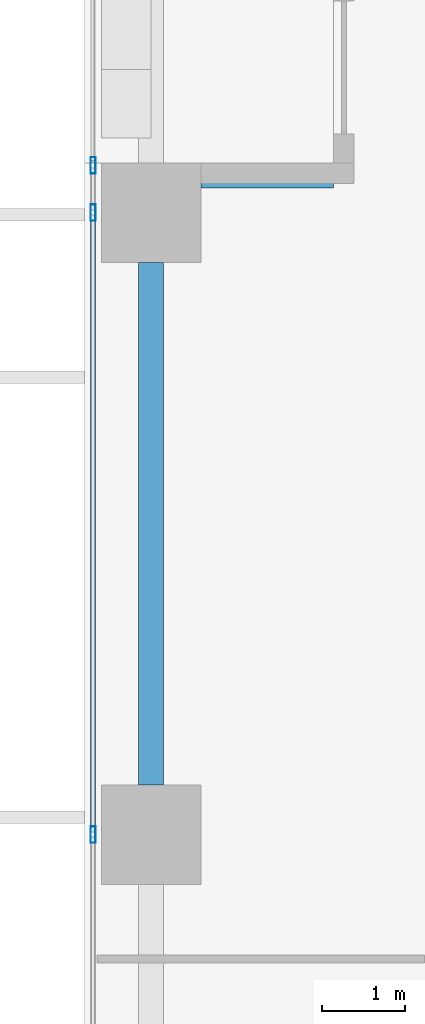
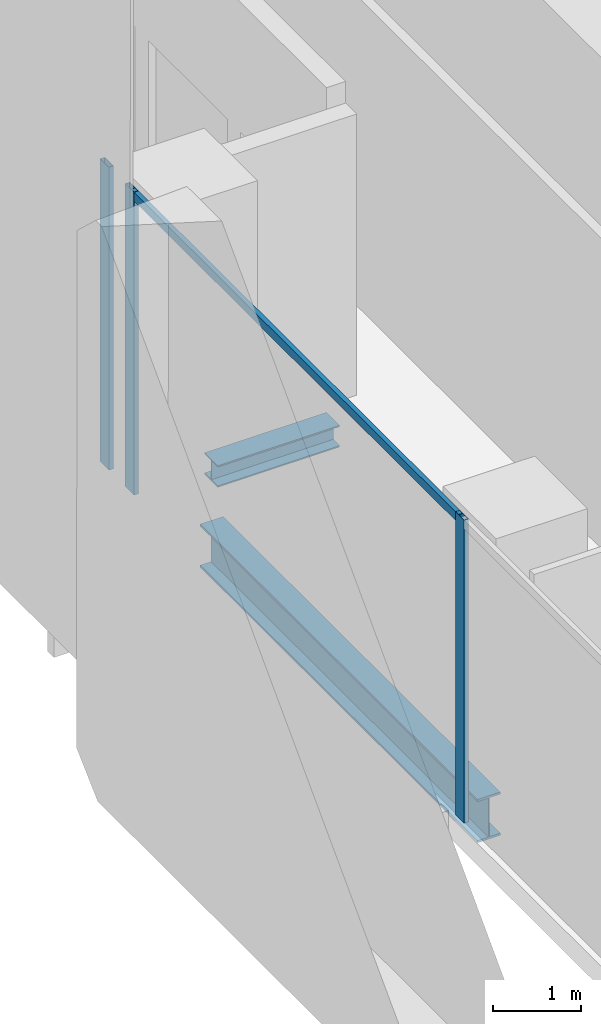
# One storey, part 5 of 37: 4 members, 2 beams, 1 element without a shape of its own.
"""IFC4 building model written with IfcOpenShell, lengths in metres."""

from ifc_helpers import new_model, si_unit, direction, frame, origin, origin_2d, place, context, subcontext, project, spatial, hollow_rectangle, i_section, extrude, source, transform, mapped, material, material_profile, profile_set, type_object, element, aggregate, save


model = new_model("IFC4")

# Units and contexts
model_context = context("Model", 3, precision=1e-05, world=origin(), true_north=direction((0.0, 1.0)))
body_context = subcontext(model_context, "Body", "Model", "MODEL_VIEW")
ifc_project = project(units=[si_unit("LENGTHUNIT", "METRE"), si_unit("AREAUNIT", "SQUARE_METRE"), si_unit("VOLUMEUNIT", "CUBIC_METRE"), si_unit("PLANEANGLEUNIT", "RADIAN"), si_unit("MASSUNIT", "GRAM", prefix="KILO")], contexts=[model_context])

# Site, building, storey
site_placement = place(None, origin())
site = spatial("IfcSite", under=ifc_project, at=site_placement, CompositionType="ELEMENT")
building_placement = place(site_placement, origin())
building = spatial("IfcBuilding", under=site, at=building_placement, Name="Khomas Fold Tower", CompositionType="ELEMENT")
storey_placement = place(building_placement, frame((0.0, 0.0, 60.0)))
storey = spatial("IfcBuildingStorey", under=building, at=storey_placement, Name="L12", CompositionType="ELEMENT", Elevation=60.0)

# Beams
ifc_material_1 = material(Name="Steel S355", Category="steel")
ifc_material_profile_1 = material_profile(ifc_material_1, i_section(OverallWidth=0.300048828125, OverallDepth=0.60009765625, WebThickness=0.015380859375, FlangeThickness=0.030029296875, at=origin_2d()), Name="HE 600 B")
ifc_profile_set_1 = profile_set([ifc_material_profile_1], Name="Steel S355")
beam_type_1 = type_object("IfcBeamType", Name="HE 600 B spandrel SB1", PredefinedType="SPANDREL", material=ifc_profile_set_1)
shared_shape_1 = source(origin(), body_context, "Body", "SweptSolid", [
    extrude(i_section(OverallWidth=0.300048828125, OverallDepth=0.60009765625, WebThickness=0.015380859375, FlangeThickness=0.030029296875, at=origin_2d()), origin(), (0.0, 0.0, 1.0), 6.2998046875),
])
beam_1_placement = place(storey_placement, frame((0.800048828125, 20.10009765625, -0.60009765625), z_axis=(0.0, 1.0, 0.0), x_axis=(-1.0, 0.0, 0.0)))
element("IfcBeam", 1, at=beam_1_placement, inside=storey, type_object=beam_type_1, Name="SB1", PredefinedType="SPANDREL", context=body_context, shape_type="MappedRepresentation", body=[
    mapped(shared_shape_1, transform((0.0, 0.0, 0.0))),
])
ifc_material_2 = material(Name="Steel S355", Category="steel")
ifc_material_profile_2 = material_profile(ifc_material_2, i_section(OverallWidth=0.300048828125, OverallDepth=0.300048828125, WebThickness=0.010986328125, FlangeThickness=0.01904296875, at=origin_2d()), Name="HE 300 B")
ifc_profile_set_2 = profile_set([ifc_material_profile_2], Name="Steel S355")
beam_type_2 = type_object("IfcBeamType", Name="HE 300 B beam BB1", PredefinedType="BEAM", material=ifc_profile_set_2)
shared_shape_2 = source(origin(), body_context, "Body", "SweptSolid", [
    extrude(i_section(OverallWidth=0.300048828125, OverallDepth=0.300048828125, WebThickness=0.010986328125, FlangeThickness=0.01904296875, at=origin_2d()), origin(), (0.0, 0.0, 1.0), 1.60009765625),
])
beam_2_placement = place(storey_placement, frame((1.39990234375, 27.449951171875, -0.449951171875), z_axis=(1.0, 0.0, 0.0), x_axis=(0.0, 1.0, 0.0)))
element("IfcBeam", 2, at=beam_2_placement, inside=storey, type_object=beam_type_2, Name="BB1", PredefinedType="BEAM", context=body_context, shape_type="MappedRepresentation", body=[
    mapped(shared_shape_2, transform((0.0, 0.0, 0.0))),
])

# Curtain wall, members
ifc_material_3 = material(Name="Aluminium framed double glazing", Category="aluminium")
curtain_wall_type = type_object("IfcCurtainWallType", Name="SK-Unitised clear-glass wall, growing floors CW1", PredefinedType="NOTDEFINED", material=ifc_material_3)
curtain_wall_placement = place(storey_placement, origin())
curtain_wall = element("IfcCurtainWall", 3, at=curtain_wall_placement, inside=storey, type_object=curtain_wall_type, Name="CW1 run L12 09-1", PredefinedType="NOTDEFINED")
ifc_material_4 = material(Name="Aluminium", Category="aluminium")
ifc_material_profile_3 = material_profile(ifc_material_4, hollow_rectangle(XDim=0.06005859375, YDim=0.1201171875, WallThickness=0.00390625, at=origin_2d()), Name="SK-Unitised clear-glass wall, growing floors transom CW1-T")
ifc_profile_set_3 = profile_set([ifc_material_profile_3], Name="Aluminium")
member_type_1 = type_object("IfcMemberType", Name="SK-Unitised clear-glass wall, growing floors transom CW1-T", PredefinedType="USERDEFINED", material=ifc_profile_set_3)
shared_shape_3 = source(origin(), body_context, "Body", "SweptSolid", [
    extrude(hollow_rectangle(XDim=0.06005859375, YDim=0.1201171875, WallThickness=0.00390625, at=origin_2d()), origin(), (0.0, 0.0, 1.0), 7.43994140625),
])
member_1_placement = place(storey_placement, frame((0.10009765625, 26.969970703125, 4.139892578125), z_axis=(0.0, -1.0, 0.0), x_axis=(1.0, 0.0, 0.0)))
member_1 = element("IfcMember", 4, at=member_1_placement, type_object=member_type_1, Name="CW1 transom 2", ObjectType="TRANSOM", PredefinedType="USERDEFINED", context=body_context, shape_type="MappedRepresentation", body=[
    mapped(shared_shape_3, transform((0.0, 0.0, 0.0))),
])
ifc_material_5 = material(Name="Aluminium", Category="aluminium")
ifc_material_profile_4 = material_profile(ifc_material_5, hollow_rectangle(XDim=0.06005859375, YDim=0.199951171875, WallThickness=0.00390625, at=origin_2d()), Name="SK-Unitised clear-glass wall, growing floors mullion CW1-M")
ifc_profile_set_4 = profile_set([ifc_material_profile_4], Name="Aluminium")
member_type_2 = type_object("IfcMemberType", Name="SK-Unitised clear-glass wall, growing floors mullion CW1-M", PredefinedType="MULLION", material=ifc_profile_set_4)
shared_shape_4 = source(origin(), body_context, "Body", "SweptSolid", [
    extrude(hollow_rectangle(XDim=0.06005859375, YDim=0.199951171875, WallThickness=0.00390625, at=origin_2d()), origin(), (0.0, 0.0, 1.0), 4.199951171875),
])
member_2_placement = place(storey_placement, frame((0.10009765625, 27.570068359375, 0.0), z_axis=(0.0, 0.0, 1.0), x_axis=(1.0, 0.0, 0.0)))
member_2 = element("IfcMember", 5, at=member_2_placement, type_object=member_type_2, Name="CW1 mullion 1", PredefinedType="MULLION", context=body_context, shape_type="MappedRepresentation", body=[
    mapped(shared_shape_4, transform((0.0, 0.0, 0.0))),
])
member_3_placement = place(storey_placement, frame((0.10009765625, 27.0, 0.0), z_axis=(0.0, 0.0, 1.0), x_axis=(1.0, 0.0, 0.0)))
member_3 = element("IfcMember", 6, at=member_3_placement, type_object=member_type_2, Name="CW1 mullion 2", PredefinedType="MULLION", context=body_context, shape_type="MappedRepresentation", body=[
    mapped(shared_shape_4, transform((0.0, 0.0, 0.0))),
])
member_4_placement = place(storey_placement, frame((0.10009765625, 19.5, 0.0), z_axis=(0.0, 0.0, 1.0), x_axis=(1.0, 0.0, 0.0)))
member_4 = element("IfcMember", 7, at=member_4_placement, type_object=member_type_2, Name="CW1 mullion 3", PredefinedType="MULLION", context=body_context, shape_type="MappedRepresentation", body=[
    mapped(shared_shape_4, transform((0.0, 0.0, 0.0))),
])
aggregate(curtain_wall, [member_2, member_3, member_4, member_1])

save(model, "model.ifc")
